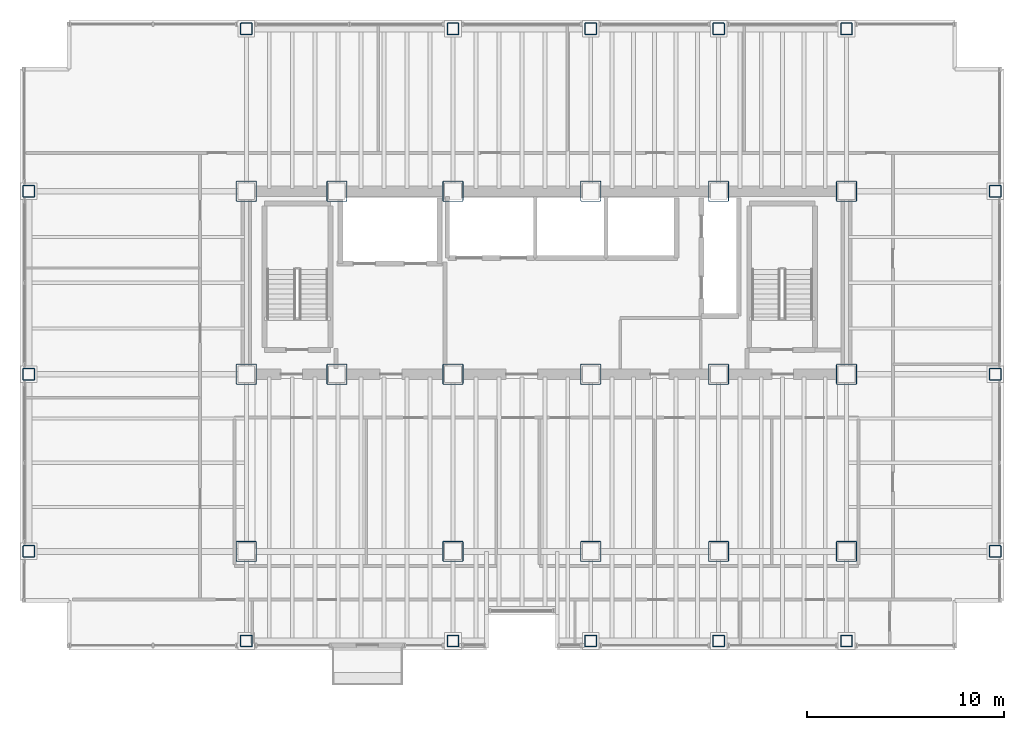
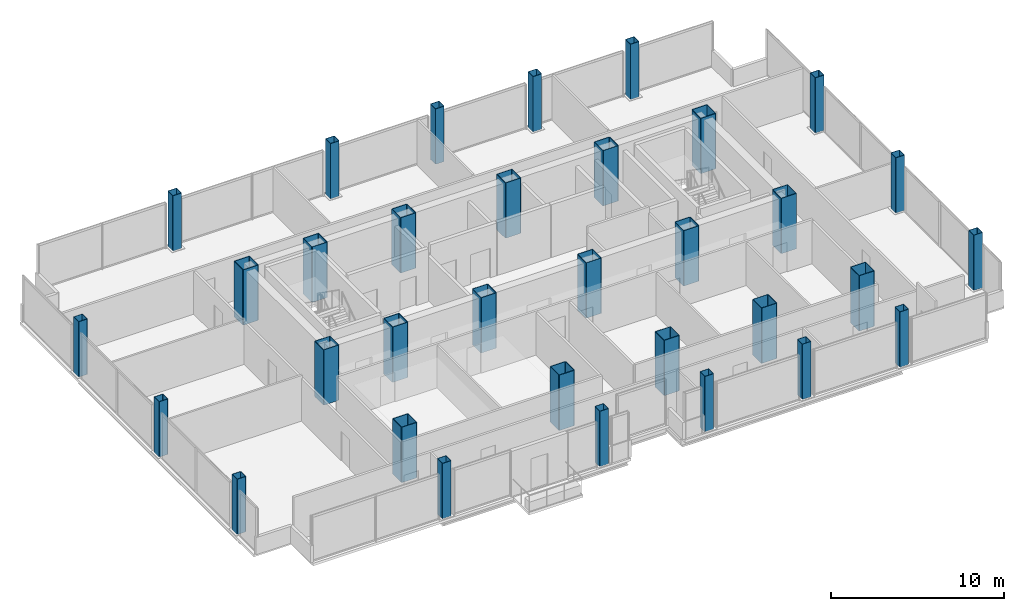
# One storey, part 1 of 21: 33 columns.
"""IFC4 building model written with IfcOpenShell, lengths in metres."""

from ifc_helpers import new_model, si_unit, direction, frame, origin, origin_2d, place, context, subcontext, project, spatial, hollow_rectangle, extrude, material, material_profile, profile_set, type_object, element, save


model = new_model("IFC4")

# Units and contexts
model_context = context("Model", 3, precision=1e-05, world=origin(), true_north=direction((0.0, 1.0)))
body_context = subcontext(model_context, "Body", "Model", "MODEL_VIEW")
ifc_project = project(units=[si_unit("LENGTHUNIT", "METRE"), si_unit("AREAUNIT", "SQUARE_METRE"), si_unit("VOLUMEUNIT", "CUBIC_METRE"), si_unit("PLANEANGLEUNIT", "RADIAN"), si_unit("MASSUNIT", "GRAM", prefix="KILO")], contexts=[model_context])

# Site, building, storey
site_placement = place(None, origin())
site = spatial("IfcSite", under=ifc_project, at=site_placement, CompositionType="ELEMENT")
building_placement = place(site_placement, origin())
building = spatial("IfcBuilding", under=site, at=building_placement, Name="Noeulbin Bourse Tower", CompositionType="ELEMENT")
storey_placement = place(building_placement, frame((0.0, 0.0, 42.10009765625)))
storey = spatial("IfcBuildingStorey", under=building, at=storey_placement, Name="L10", CompositionType="ELEMENT", Elevation=42.10009765625)

# Columns
ifc_material = material(Name="Steel S460", Category="steel")
ifc_material_profile_1 = material_profile(ifc_material, hollow_rectangle(XDim=0.60009765625, YDim=0.60009765625, WallThickness=0.02587890625, InnerFilletRadius=0.012939453125, OuterFilletRadius=0.0390625, at=origin_2d()), Name="BOX-600x600x26", Category="LoadBearing")
ifc_profile_set_1 = profile_set([ifc_material_profile_1], Name="Steel S460")
column_type_1 = type_object("IfcColumnType", Name="COL-PER-Z1", PredefinedType="COLUMN", material=ifc_profile_set_1)
for number, where, z_axis, x_axis, name in (
    (1, (2.449951171875, 20.0, 0.0), (0.0, 0.0, 1.0), (1.0, 0.0, 0.0), "Tower Perimeter Column COL-PER-Z1 01"),
    (2, (2.449951171875, 29.0, 0.0), (0.0, 0.0, 1.0), (1.0, 0.0, 0.0), "Tower Perimeter Column COL-PER-Z1 02"),
    (3, (2.449951171875, 38.300048828125, 0.0), (0.0, 0.0, 1.0), (1.0, 0.0, 0.0), "Tower Perimeter Column COL-PER-Z1 03"),
    (4, (13.5, 15.449951171875, 0.0), (0.0, 0.0, 1.0), (1.0, 0.0, 0.0), "Tower Perimeter Column COL-PER-Z1 04"),
    (5, (13.5, 46.550048828125, 0.0), (0.0, 0.0, 1.0), (1.0, 0.0, 0.0), "Tower Perimeter Column COL-PER-Z1 05"),
    (6, (24.0, 15.449951171875, 0.0), (0.0, 0.0, 1.0), (1.0, 0.0, 0.0), "Tower Perimeter Column COL-PER-Z1 06"),
    (7, (24.0, 46.550048828125, 0.0), (0.0, 0.0, 1.0), (1.0, 0.0, 0.0), "Tower Perimeter Column COL-PER-Z1 07"),
    (8, (31.0, 15.449951171875, 0.0), (0.0, 0.0, 1.0), (1.0, 0.0, 0.0), "Tower Perimeter Column COL-PER-Z1 08"),
    (9, (31.0, 46.550048828125, 0.0), (0.0, 0.0, 1.0), (1.0, 0.0, 0.0), "Tower Perimeter Column COL-PER-Z1 09"),
    (10, (37.5, 15.449951171875, 0.0), (0.0, 0.0, 1.0), (1.0, 0.0, 0.0), "Tower Perimeter Column COL-PER-Z1 10"),
    (11, (37.5, 46.550048828125, 0.0), (0.0, 0.0, 1.0), (1.0, 0.0, 0.0), "Tower Perimeter Column COL-PER-Z1 11"),
    (12, (44.0, 15.449951171875, 0.0), (0.0, 0.0, 1.0), (1.0, 0.0, 0.0), "Tower Perimeter Column COL-PER-Z1 12"),
    (13, (44.0, 46.550048828125, 0.0), (0.0, 0.0, 1.0), (1.0, 0.0, 0.0), "Tower Perimeter Column COL-PER-Z1 13"),
    (14, (51.550048828125, 20.0, 0.0), (0.0, 0.0, 1.0), (1.0, 0.0, 0.0), "Tower Perimeter Column COL-PER-Z1 14"),
    (15, (51.550048828125, 29.0, 0.0), (0.0, 0.0, 1.0), (1.0, 0.0, 0.0), "Tower Perimeter Column COL-PER-Z1 15"),
    (16, (51.550048828125, 38.300048828125, 0.0), (0.0, 0.0, 1.0), (1.0, 0.0, 0.0), "Tower Perimeter Column COL-PER-Z1 16"),
):
    element("IfcColumn", number, at=place(storey_placement, frame(where, z_axis=z_axis, x_axis=x_axis)), inside=storey, type_object=column_type_1, Name=name, PredefinedType="COLUMN", context=body_context, shape_type="SweptSolid", body=[
        extrude(hollow_rectangle(XDim=0.60009765625, YDim=0.60009765625, WallThickness=0.02587890625, InnerFilletRadius=0.012939453125, OuterFilletRadius=0.0390625, at=origin_2d()), origin(), (0.0, 0.0, 1.0), 3.89990234375),
    ])
ifc_material_profile_2 = material_profile(ifc_material, hollow_rectangle(XDim=1.050048828125, YDim=1.050048828125, WallThickness=0.0380859375, InnerFilletRadius=0.01904296875, OuterFilletRadius=0.056884765625, at=origin_2d()), Name="BOX-1050x1050x38", Category="LoadBearing")
ifc_profile_set_2 = profile_set([ifc_material_profile_2], Name="Steel S460")
column_type_2 = type_object("IfcColumnType", Name="COL-TRK-Z1", PredefinedType="COLUMN", material=ifc_profile_set_2)
for number, where, z_axis, x_axis, name in (
    (17, (13.5, 29.0, 0.0), (0.0, 0.0, 1.0), (1.0, 0.0, 0.0), "Tower Trunk Mega-Column COL-TRK-Z1 01"),
    (18, (13.5, 38.300048828125, 0.0), (0.0, 0.0, 1.0), (1.0, 0.0, 0.0), "Tower Trunk Mega-Column COL-TRK-Z1 02"),
    (19, (18.10009765625, 29.0, 0.0), (0.0, 0.0, 1.0), (1.0, 0.0, 0.0), "Tower Trunk Mega-Column COL-TRK-Z1 03"),
    (20, (18.10009765625, 38.300048828125, 0.0), (0.0, 0.0, 1.0), (1.0, 0.0, 0.0), "Tower Trunk Mega-Column COL-TRK-Z1 04"),
    (21, (24.0, 29.0, 0.0), (0.0, 0.0, 1.0), (1.0, 0.0, 0.0), "Tower Trunk Mega-Column COL-TRK-Z1 05"),
    (22, (24.0, 38.300048828125, 0.0), (0.0, 0.0, 1.0), (1.0, 0.0, 0.0), "Tower Trunk Mega-Column COL-TRK-Z1 06"),
    (23, (31.0, 29.0, 0.0), (0.0, 0.0, 1.0), (1.0, 0.0, 0.0), "Tower Trunk Mega-Column COL-TRK-Z1 07"),
    (24, (31.0, 38.300048828125, 0.0), (0.0, 0.0, 1.0), (1.0, 0.0, 0.0), "Tower Trunk Mega-Column COL-TRK-Z1 08"),
    (25, (37.5, 29.0, 0.0), (0.0, 0.0, 1.0), (1.0, 0.0, 0.0), "Tower Trunk Mega-Column COL-TRK-Z1 09"),
    (26, (37.5, 38.300048828125, 0.0), (0.0, 0.0, 1.0), (1.0, 0.0, 0.0), "Tower Trunk Mega-Column COL-TRK-Z1 10"),
    (27, (44.0, 29.0, 0.0), (0.0, 0.0, 1.0), (1.0, 0.0, 0.0), "Tower Trunk Mega-Column COL-TRK-Z1 11"),
    (28, (44.0, 38.300048828125, 0.0), (0.0, 0.0, 1.0), (1.0, 0.0, 0.0), "Tower Trunk Mega-Column COL-TRK-Z1 12"),
    (29, (13.5, 20.0, 0.0), (0.0, 0.0, 1.0), (1.0, 0.0, 0.0), "Tower Trunk Mega-Column COL-TRK-Z1 13"),
    (30, (24.0, 20.0, 0.0), (0.0, 0.0, 1.0), (1.0, 0.0, 0.0), "Tower Trunk Mega-Column COL-TRK-Z1 14"),
    (31, (31.0, 20.0, 0.0), (0.0, 0.0, 1.0), (1.0, 0.0, 0.0), "Tower Trunk Mega-Column COL-TRK-Z1 15"),
    (32, (37.5, 20.0, 0.0), (0.0, 0.0, 1.0), (1.0, 0.0, 0.0), "Tower Trunk Mega-Column COL-TRK-Z1 16"),
    (33, (44.0, 20.0, 0.0), (0.0, 0.0, 1.0), (1.0, 0.0, 0.0), "Tower Trunk Mega-Column COL-TRK-Z1 17"),
):
    element("IfcColumn", number, at=place(storey_placement, frame(where, z_axis=z_axis, x_axis=x_axis)), inside=storey, type_object=column_type_2, Name=name, PredefinedType="COLUMN", context=body_context, shape_type="SweptSolid", body=[
        extrude(hollow_rectangle(XDim=1.050048828125, YDim=1.050048828125, WallThickness=0.0380859375, InnerFilletRadius=0.01904296875, OuterFilletRadius=0.056884765625, at=origin_2d()), origin(), (0.0, 0.0, 1.0), 3.89990234375),
    ])

save(model, "model.ifc")
